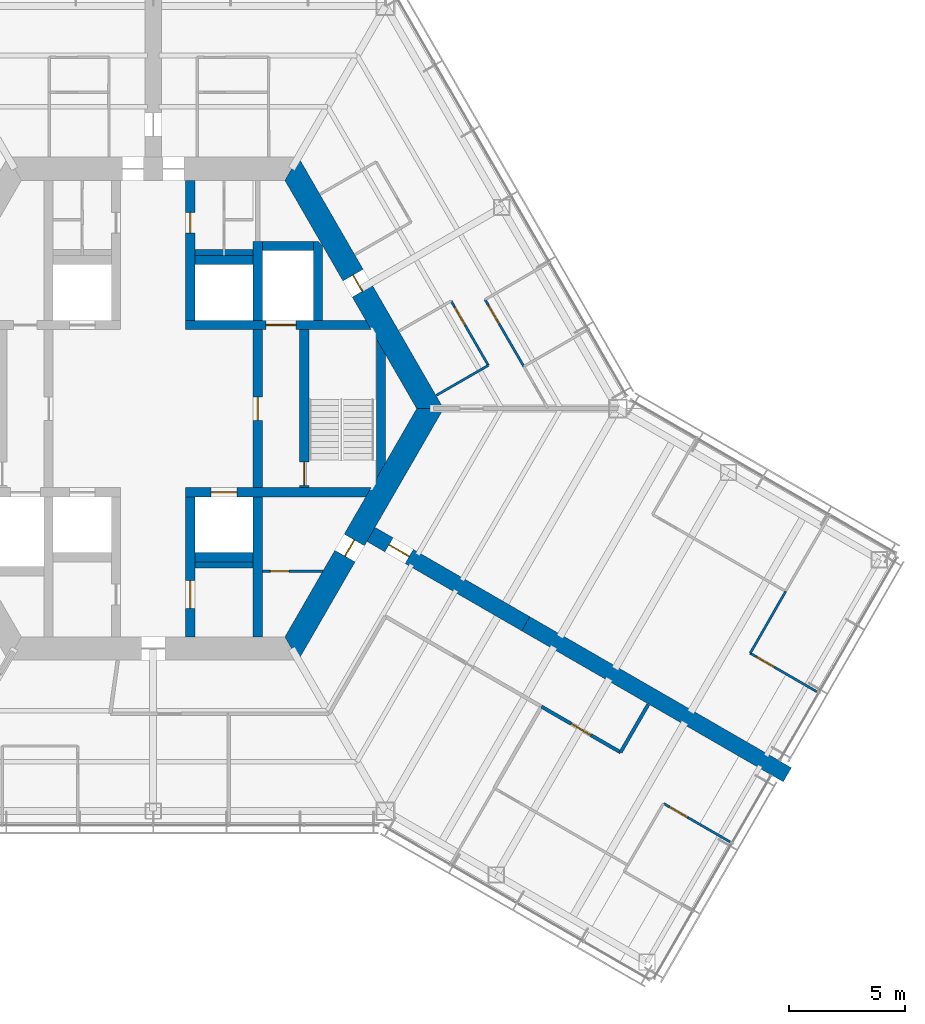
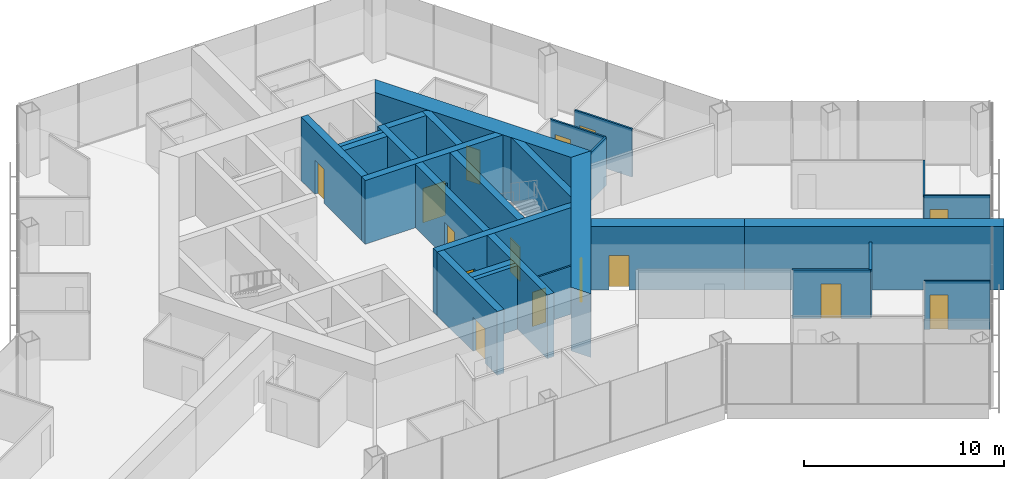
# One storey, part 13 of 18: 28 walls, 15 doors, 15 openings.
"""IFC4 building model written with IfcOpenShell, lengths in metres."""

from ifc_helpers import new_model, si_unit, direction, frame, frame_2d, origin, place, context, subcontext, project, spatial, polyline, rectangle, outline, extrude, material, layer, layer_set, type_object, element, fill, save


model = new_model("IFC4")

# Units and contexts
model_context = context("Model", 3, precision=1e-05, world=origin(), true_north=direction((0.0, 1.0)))
body_context = subcontext(model_context, "Body", "Model", "MODEL_VIEW")
ifc_project = project(units=[si_unit("LENGTHUNIT", "METRE"), si_unit("AREAUNIT", "SQUARE_METRE"), si_unit("VOLUMEUNIT", "CUBIC_METRE"), si_unit("PLANEANGLEUNIT", "RADIAN"), si_unit("MASSUNIT", "GRAM", prefix="KILO")], contexts=[model_context])

# Site, building, storey
site_placement = place(None, origin())
site = spatial("IfcSite", under=ifc_project, at=site_placement, CompositionType="ELEMENT")
building_placement = place(site_placement, origin())
building = spatial("IfcBuilding", under=site, at=building_placement, Name="Kasaneha Research Tower", CompositionType="ELEMENT")
storey_placement = place(building_placement, frame((0.0, 0.0, 168.199951171875)))
storey = spatial("IfcBuildingStorey", under=building, at=storey_placement, Name="L42", CompositionType="ELEMENT", Elevation=168.199951171875)

# Wall, opening, door
ifc_material_1 = material(Name="Concrete Fc70", Category="concrete")
ifc_layer_1 = layer(ifc_material_1, 0.39990234375)
ifc_layer_set_1 = layer_set([ifc_layer_1], Name="Core internal wall 400 Fc70")
wall_type_1 = type_object("IfcWallType", Name="Core internal wall 400 Fc70", PredefinedType="SHEAR", material=ifc_layer_set_1)
wall_1_placement = place(storey_placement, frame((1.39990234375, 3.60009765625, 0.0), z_axis=(0.0, 0.0, 1.0), x_axis=(1.0, 0.0, 0.0)))
wall_1 = element("IfcWall", 1, at=wall_1_placement, inside=storey, type_object=wall_type_1, Name="Core wall W1E L42", PredefinedType="SHEAR", context=body_context, shape_type="SweptSolid", body=[
    extrude(outline(polyline([(0.0, -0.199951171875), (3.449951171875, -0.199951171875), (4.75, -0.199951171875), (7.98193359375, -0.199951171875), (7.7509765625, 0.199951171875), (4.75, 0.199951171875), (3.449951171875, 0.199951171875), (0.0, 0.199951171875), (0.0, -0.199951171875)])), origin(), (0.0, 0.0, 1.0), 3.900146484375),
])
opening_1_placement = place(wall_1_placement, frame((3.449951171875, 0.0, 0.0)))
opening_1 = element("IfcOpeningElement", 2, at=opening_1_placement, cuts=wall_1, Name="Opening LD-FL1-L42", PredefinedType="OPENING", context=body_context, shape_type="SweptSolid", body=[
    extrude(rectangle(XDim=1.300048828125, YDim=2.10009765625, at=frame_2d((0.64990234375, 1.050048828125))), frame((0.0, 0.2099609375, 0.0), z_axis=(0.0, -1.0, 0.0), x_axis=(1.0, 0.0, 0.0)), (0.0, 0.0, 1.0), 0.419921875),
])
ifc_material_2 = material(Name="Steel", Category="steel")
door_type_1 = type_object("IfcDoorType", Name="Lift landing door 1300x2100", OperationType="DOUBLE_DOOR_SLIDING", PredefinedType="DOOR", material=ifc_material_2)
door_1_placement = place(opening_1_placement, origin())
door_1 = element("IfcDoor", 3, at=door_1_placement, inside=storey, type_object=door_type_1, Name="Landing door FL1 LD-FL1-L42", OperationType="DOUBLE_DOOR_SLIDING", OverallHeight=2.10009765625, OverallWidth=1.300048828125, PredefinedType="DOOR", context=body_context, shape_type="SweptSolid", body=[
    extrude(rectangle(XDim=1.300048828125, YDim=2.10009765625, at=frame_2d((0.64990234375, 1.050048828125))), frame((0.0, 0.02490234375, 0.0), z_axis=(0.0, -1.0, 0.0), x_axis=(1.0, 0.0, 0.0)), (0.0, 0.0, 1.0), 0.050048828125),
])
fill(opening_1, door_1)

wall_2_placement = place(storey_placement, frame((1.39990234375, -3.60009765625, 0.0), z_axis=(0.0, 0.0, 1.0), x_axis=(1.0, 0.0, 0.0)))
wall_2 = element("IfcWall", 4, at=wall_2_placement, inside=storey, type_object=wall_type_1, Name="Core wall W2E L42", PredefinedType="SHEAR", context=body_context, shape_type="SweptSolid", body=[
    extrude(outline(polyline([(0.0, -0.199951171875), (1.10009765625, -0.199951171875), (2.2001953125, -0.199951171875), (7.7509765625, -0.199951171875), (7.98193359375, 0.199951171875), (2.2001953125, 0.199951171875), (1.10009765625, 0.199951171875), (0.0, 0.199951171875), (0.0, -0.199951171875)])), origin(), (0.0, 0.0, 1.0), 3.900146484375),
])
opening_2_placement = place(wall_2_placement, frame((1.10009765625, 0.0, 0.0)))
opening_2 = element("IfcOpeningElement", 5, at=opening_2_placement, cuts=wall_2, Name="Opening LD-LM2-L42", PredefinedType="OPENING", context=body_context, shape_type="SweptSolid", body=[
    extrude(rectangle(XDim=1.10009765625, YDim=2.10009765625, at=frame_2d((0.550048828125, 1.050048828125))), frame((0.0, 0.2099609375, 0.0), z_axis=(0.0, -1.0, 0.0), x_axis=(1.0, 0.0, 0.0)), (0.0, 0.0, 1.0), 0.419921875),
])
ifc_material_3 = material(Name="Steel", Category="steel")
door_type_2 = type_object("IfcDoorType", Name="Lift landing door 1100x2100", OperationType="DOUBLE_DOOR_SLIDING", PredefinedType="DOOR", material=ifc_material_3)
door_2_placement = place(opening_2_placement, origin())
door_2 = element("IfcDoor", 6, at=door_2_placement, inside=storey, type_object=door_type_2, Name="Landing door LM2 LD-LM2-L42", OperationType="DOUBLE_DOOR_SLIDING", OverallHeight=2.10009765625, OverallWidth=1.10009765625, PredefinedType="DOOR", context=body_context, shape_type="SweptSolid", body=[
    extrude(rectangle(XDim=1.10009765625, YDim=2.10009765625, at=frame_2d((0.550048828125, 1.050048828125))), frame((0.0, 0.02490234375, 0.0), z_axis=(0.0, -1.0, 0.0), x_axis=(1.0, 0.0, 0.0)), (0.0, 0.0, 1.0), 0.050048828125),
])
fill(opening_2, door_2)

wall_3_placement = place(storey_placement, frame((1.60009765625, 3.800048828125, 0.0), z_axis=(0.0, 0.0, 1.0), x_axis=(0.0, 1.0, 0.0)))
wall_3 = element("IfcWall", 7, at=wall_3_placement, inside=storey, type_object=wall_type_1, Name="Core wall CNE L42", PredefinedType="SHEAR", context=body_context, shape_type="SweptSolid", body=[
    extrude(rectangle(XDim=6.02490234375, YDim=0.39990234375, at=frame_2d((3.012451171875, 0.0))), origin(), (0.0, 0.0, 1.0), 3.900146484375),
])
opening_3_placement = place(wall_3_placement, frame((3.75, 0.0, 0.0)))
opening_3 = element("IfcOpeningElement", 8, at=opening_3_placement, cuts=wall_3, Name="Opening L42-D14", PredefinedType="OPENING", context=body_context, shape_type="SweptSolid", body=[
    extrude(rectangle(XDim=0.89990234375, YDim=2.10009765625, at=frame_2d((0.449951171875, 1.050048828125))), frame((0.0, 0.2099609375, 0.0), z_axis=(0.0, -1.0, 0.0), x_axis=(1.0, 0.0, 0.0)), (0.0, 0.0, 1.0), 0.419921875),
])
ifc_material_4 = material(Name="Steel", Category="steel")
door_type_3 = type_object("IfcDoorType", Name="Toilet door FD20 900x2100", OperationType="NOTDEFINED", PredefinedType="DOOR", material=ifc_material_4)
door_3_placement = place(opening_3_placement, origin())
door_3 = element("IfcDoor", 9, at=door_3_placement, inside=storey, type_object=door_type_3, Name="Women's WC door L42-D14", OperationType="SINGLE_SWING_LEFT", OverallHeight=2.10009765625, OverallWidth=0.89990234375, PredefinedType="DOOR", context=body_context, shape_type="SweptSolid", body=[
    extrude(rectangle(XDim=0.89990234375, YDim=2.10009765625, at=frame_2d((0.449951171875, 1.050048828125))), frame((0.0, 0.02490234375, 0.0), z_axis=(0.0, -1.0, 0.0), x_axis=(1.0, 0.0, 0.0)), (0.0, 0.0, 1.0), 0.050048828125),
])
fill(opening_3, door_3)

wall_4_placement = place(storey_placement, frame((1.60009765625, -3.800048828125, 0.0), z_axis=(0.0, 0.0, 1.0), x_axis=(0.0, -1.0, 0.0)))
wall_4 = element("IfcWall", 10, at=wall_4_placement, inside=storey, type_object=wall_type_1, Name="Core wall CSE L42", PredefinedType="SHEAR", context=body_context, shape_type="SweptSolid", body=[
    extrude(rectangle(XDim=6.02490234375, YDim=0.39990234375, at=frame_2d((3.012451171875, 0.0))), origin(), (0.0, 0.0, 1.0), 3.900146484375),
])
opening_4_placement = place(wall_4_placement, frame((3.60009765625, 0.0, 0.0)))
opening_4 = element("IfcOpeningElement", 11, at=opening_4_placement, cuts=wall_4, Name="Opening L42-D15", PredefinedType="OPENING", context=body_context, shape_type="SweptSolid", body=[
    extrude(rectangle(XDim=1.199951171875, YDim=2.10009765625, at=frame_2d((0.60009765625, 1.050048828125))), frame((0.0, 0.2099609375, 0.0), z_axis=(0.0, -1.0, 0.0), x_axis=(1.0, 0.0, 0.0)), (0.0, 0.0, 1.0), 0.419921875),
])
ifc_material_5 = material(Name="Steel", Category="steel")
door_type_4 = type_object("IfcDoorType", Name="Accessible toilet sliding door FD20 1200x2100", OperationType="SLIDING_TO_LEFT", PredefinedType="DOOR", material=ifc_material_5)
door_4_placement = place(opening_4_placement, origin())
door_4 = element("IfcDoor", 12, at=door_4_placement, inside=storey, type_object=door_type_4, Name="Accessible WC door L42-D15", OperationType="SLIDING_TO_LEFT", OverallHeight=2.10009765625, OverallWidth=1.199951171875, PredefinedType="DOOR", context=body_context, shape_type="SweptSolid", body=[
    extrude(rectangle(XDim=1.199951171875, YDim=2.10009765625, at=frame_2d((0.60009765625, 1.050048828125))), frame((0.0, 0.02490234375, 0.0), z_axis=(0.0, -1.0, 0.0), x_axis=(1.0, 0.0, 0.0)), (0.0, 0.0, 1.0), 0.050048828125),
])
fill(opening_4, door_4)

wall_5_placement = place(storey_placement, frame((4.5, -3.39990234375, 0.0), z_axis=(0.0, 0.0, 1.0), x_axis=(0.0, 1.0, 0.0)))
wall_5 = element("IfcWall", 13, at=wall_5_placement, inside=storey, type_object=wall_type_1, Name="Core wall LBE L42", PredefinedType="SHEAR", context=body_context, shape_type="SweptSolid", body=[
    extrude(rectangle(XDim=6.7998046875, YDim=0.39990234375, at=frame_2d((3.39990234375, 0.0))), origin(), (0.0, 0.0, 1.0), 3.900146484375),
])
opening_5_placement = place(wall_5_placement, frame((2.89990234375, 0.0, 0.0)))
opening_5 = element("IfcOpeningElement", 14, at=opening_5_placement, cuts=wall_5, Name="Opening L42-D08", PredefinedType="OPENING", context=body_context, shape_type="SweptSolid", body=[
    extrude(rectangle(XDim=1.0, YDim=2.10009765625, at=frame_2d((0.5, 1.050048828125))), frame((0.0, 0.2099609375, 0.0), z_axis=(0.0, -1.0, 0.0), x_axis=(1.0, 0.0, 0.0)), (0.0, 0.0, 1.0), 0.419921875),
])
ifc_material_6 = material(Name="Steel", Category="steel")
door_type_5 = type_object("IfcDoorType", Name="Specified fire door FD60 1000x2100", OperationType="NOTDEFINED", PredefinedType="DOOR", material=ifc_material_6)
door_5_placement = place(opening_5_placement, origin())
door_5 = element("IfcDoor", 15, at=door_5_placement, inside=storey, type_object=door_type_5, Name="Lift lobby door east L42-D08", OperationType="SINGLE_SWING_LEFT", OverallHeight=2.10009765625, OverallWidth=1.0, PredefinedType="DOOR", context=body_context, shape_type="SweptSolid", body=[
    extrude(rectangle(XDim=1.0, YDim=2.10009765625, at=frame_2d((0.5, 1.050048828125))), frame((0.0, 0.02490234375, 0.0), z_axis=(0.0, -1.0, 0.0), x_axis=(1.0, 0.0, 0.0)), (0.0, 0.0, 1.0), 0.050048828125),
])
fill(opening_5, door_5)

wall_6_placement = place(storey_placement, frame((6.5, -3.39990234375, 0.0), z_axis=(0.0, 0.0, 1.0), x_axis=(0.0, 1.0, 0.0)))
wall_6 = element("IfcWall", 16, at=wall_6_placement, inside=storey, type_object=wall_type_1, Name="Core wall ANE L42", PredefinedType="SHEAR", context=body_context, shape_type="SweptSolid", body=[
    extrude(rectangle(XDim=6.7998046875, YDim=0.39990234375, at=frame_2d((3.39990234375, 0.0))), origin(), (0.0, 0.0, 1.0), 3.900146484375),
])
opening_6_placement = place(wall_6_placement, frame((0.10009765625, 0.0, 0.0)))
opening_6 = element("IfcOpeningElement", 17, at=opening_6_placement, cuts=wall_6, Name="Opening L42-D10", PredefinedType="OPENING", context=body_context, shape_type="SweptSolid", body=[
    extrude(rectangle(XDim=1.0, YDim=2.10009765625, at=frame_2d((0.5, 1.050048828125))), frame((0.0, 0.2099609375, 0.0), z_axis=(0.0, -1.0, 0.0), x_axis=(1.0, 0.0, 0.0)), (0.0, 0.0, 1.0), 0.419921875),
])
door_6_placement = place(opening_6_placement, origin())
door_6 = element("IfcDoor", 18, at=door_6_placement, inside=storey, type_object=door_type_5, Name="Stair 1 door L42-D10", OperationType="SINGLE_SWING_LEFT", OverallHeight=2.10009765625, OverallWidth=1.0, PredefinedType="DOOR", context=body_context, shape_type="SweptSolid", body=[
    extrude(rectangle(XDim=1.0, YDim=2.10009765625, at=frame_2d((0.5, 1.050048828125))), frame((0.0, 0.02490234375, 0.0), z_axis=(0.0, -1.0, 0.0), x_axis=(1.0, 0.0, 0.0)), (0.0, 0.0, 1.0), 0.050048828125),
])
fill(opening_6, door_6)

# Walls
wall_7_placement = place(storey_placement, frame((4.5, 3.800048828125, 0.0), z_axis=(0.0, 0.0, 1.0), x_axis=(0.0, 1.0, 0.0)))
element("IfcWall", 19, at=wall_7_placement, inside=storey, type_object=wall_type_1, Name="Core wall FNE L42", PredefinedType="SHEAR", context=body_context, shape_type="SweptSolid", body=[
    extrude(rectangle(XDim=3.39990234375, YDim=0.39990234375, at=frame_2d((1.699951171875, 0.0))), origin(), (0.0, 0.0, 1.0), 3.900146484375),
])
wall_8_placement = place(storey_placement, frame((4.5, -3.800048828125, 0.0), z_axis=(0.0, 0.0, 1.0), x_axis=(0.0, -1.0, 0.0)))
element("IfcWall", 20, at=wall_8_placement, inside=storey, type_object=wall_type_1, Name="Core wall SSE L42", PredefinedType="SHEAR", context=body_context, shape_type="SweptSolid", body=[
    extrude(rectangle(XDim=6.02490234375, YDim=0.39990234375, at=frame_2d((3.012451171875, 0.0))), origin(), (0.0, 0.0, 1.0), 3.900146484375),
])
for number, where, z_axis, x_axis, name in (
    (21, (1.800048828125, 6.39990234375, 0.0), (0.0, 0.0, 1.0), (1.0, 0.0, 0.0), "Core wall N3N L42"),
    (22, (1.800048828125, -6.39990234375, 0.0), (0.0, 0.0, 1.0), (1.0, 0.0, 0.0), "Core wall S3S L42"),
):
    element("IfcWall", number, at=place(storey_placement, frame(where, z_axis=z_axis, x_axis=x_axis)), inside=storey, type_object=wall_type_1, Name=name, PredefinedType="SHEAR", context=body_context, shape_type="SweptSolid", body=[
        extrude(rectangle(XDim=2.5, YDim=0.39990234375, at=frame_2d((1.25, 0.0))), origin(), (0.0, 0.0, 1.0), 3.900146484375),
    ])
wall_9_placement = place(storey_placement, frame((4.699951171875, 7.0, 0.0), z_axis=(0.0, 0.0, 1.0), x_axis=(1.0, 0.0, 0.0)))
element("IfcWall", 23, at=wall_9_placement, inside=storey, type_object=wall_type_1, Name="Core wall F1N L42", PredefinedType="SHEAR", context=body_context, shape_type="SweptSolid", body=[
    extrude(rectangle(XDim=2.199951171875, YDim=0.39990234375, at=frame_2d((1.10009765625, 0.0))), origin(), (0.0, 0.0, 1.0), 3.900146484375),
])
wall_10_placement = place(storey_placement, frame((7.10009765625, 3.800048828125, 0.0), z_axis=(0.0, 0.0, 1.0), x_axis=(0.0, 1.0, 0.0)))
element("IfcWall", 24, at=wall_10_placement, inside=storey, type_object=wall_type_1, Name="Core wall F1E L42", PredefinedType="SHEAR", context=body_context, shape_type="SweptSolid", body=[
    extrude(outline(polyline([(0.0, -0.199951171875), (3.205810546875, -0.199951171875), (3.39990234375, 0.0), (3.39990234375, 0.199951171875), (0.0, 0.199951171875), (0.0, -0.199951171875)])), origin(), (0.0, 0.0, 1.0), 3.900146484375),
])
wall_11_placement = place(storey_placement, frame((9.807861328125, -2.662353515625, 0.0), z_axis=(0.0, 0.0, 1.0), x_axis=(0.0, 1.0, 0.0)))
element("IfcWall", 25, at=wall_11_placement, inside=storey, type_object=wall_type_1, Name="Core wall STE L42", PredefinedType="SHEAR", context=body_context, shape_type="SweptSolid", body=[
    extrude(outline(polyline([(0.346435546875, -0.199951171875), (4.978271484375, -0.199951171875), (5.671142578125, 0.199951171875), (-0.346435546875, 0.199951171875), (0.346435546875, -0.199951171875)])), origin(), (0.0, 0.0, 1.0), 3.900146484375),
])

# Wall, opening, door
ifc_material_7 = material(Name="Concrete Fc70", Category="concrete")
ifc_layer_2 = layer(ifc_material_7, 1.0)
ifc_layer_set_2 = layer_set([ifc_layer_2], Name="Core wall 1000 Fc70")
wall_type_2 = type_object("IfcWallType", Name="Core wall 1000 Fc70", PredefinedType="SHEAR", material=ifc_layer_set_2)
wall_12_placement = place(storey_placement, frame((11.92236328125, 0.0, 0.0), z_axis=(0.0, 0.0, 1.0), x_axis=(-0.500004296715, 0.866022923061, 0.0)))
wall_12 = element("IfcWall", 26, at=wall_12_placement, inside=storey, type_object=wall_type_2, Name="Core wall 030 L42", PredefinedType="SHEAR", context=body_context, shape_type="SweptSolid", body=[
    extrude(outline(polyline([(-0.28857421875, -0.5), (5.83544921875, -0.5), (6.635498046875, -0.5), (12.2109375, -0.5), (11.6337890625, 0.5), (6.635498046875, 0.5), (5.83544921875, 0.5), (0.28857421875, 0.5), (-0.28857421875, -0.5)])), origin(), (0.0, 0.0, 1.0), 3.900146484375),
])
opening_7_placement = place(wall_12_placement, frame((5.83544921875, 0.0, 0.0)))
opening_7 = element("IfcOpeningElement", 27, at=opening_7_placement, cuts=wall_12, Name="Opening L42-D04", PredefinedType="OPENING", context=body_context, shape_type="SweptSolid", body=[
    extrude(rectangle(XDim=0.800048828125, YDim=2.10009765625, at=frame_2d((0.39990234375, 1.050048828125))), frame((0.0, 0.510009765625, 0.0), z_axis=(0.0, -1.0, 0.0), x_axis=(1.0, 0.0, 0.0)), (0.0, 0.0, 1.0), 1.02001953125),
])
ifc_material_8 = material(Name="Steel", Category="steel")
door_type_6 = type_object("IfcDoorType", Name="Riser access door FD60 800x2100", OperationType="NOTDEFINED", PredefinedType="DOOR", material=ifc_material_8)
door_7_placement = place(opening_7_placement, origin())
door_7 = element("IfcDoor", 28, at=door_7_placement, inside=storey, type_object=door_type_6, Name="Pipe riser door L42-D04", OperationType="SINGLE_SWING_RIGHT", OverallHeight=2.10009765625, OverallWidth=0.800048828125, PredefinedType="DOOR", context=body_context, shape_type="SweptSolid", body=[
    extrude(rectangle(XDim=0.800048828125, YDim=2.10009765625, at=frame_2d((0.39990234375, 1.050048828125))), frame((0.0, 0.02490234375, 0.0), z_axis=(0.0, -1.0, 0.0), x_axis=(1.0, 0.0, 0.0)), (0.0, 0.0, 1.0), 0.050048828125),
])
fill(opening_7, door_7)

wall_13_placement = place(storey_placement, frame((5.961181640625, -10.324951171875, 0.0), z_axis=(0.0, 0.0, 1.0), x_axis=(0.500004296715, 0.866022923061, 0.0)))
wall_13 = element("IfcWall", 29, at=wall_13_placement, inside=storey, type_object=wall_type_2, Name="Core wall 330 L42", PredefinedType="SHEAR", context=body_context, shape_type="SweptSolid", body=[
    extrude(outline(polyline([(-0.28857421875, -0.5), (4.593994140625, -0.5), (5.39404296875, -0.5), (12.2109375, -0.5), (11.6337890625, 0.5), (5.39404296875, 0.5), (4.593994140625, 0.5), (0.28857421875, 0.5), (-0.28857421875, -0.5)])), origin(), (0.0, 0.0, 1.0), 3.900146484375),
])
opening_8_placement = place(wall_13_placement, frame((4.593994140625, 0.0, 0.0)))
opening_8 = element("IfcOpeningElement", 30, at=opening_8_placement, cuts=wall_13, Name="Opening L42-D05", PredefinedType="OPENING", context=body_context, shape_type="SweptSolid", body=[
    extrude(rectangle(XDim=0.800048828125, YDim=2.10009765625, at=frame_2d((0.39990234375, 1.050048828125))), frame((0.0, 0.510009765625, 0.0), z_axis=(0.0, -1.0, 0.0), x_axis=(1.0, 0.0, 0.0)), (0.0, 0.0, 1.0), 1.02001953125),
])
door_8_placement = place(opening_8_placement, origin())
door_8 = element("IfcDoor", 31, at=door_8_placement, inside=storey, type_object=door_type_6, Name="Pipe riser door L42-D05", OperationType="SINGLE_SWING_LEFT", OverallHeight=2.10009765625, OverallWidth=0.800048828125, PredefinedType="DOOR", context=body_context, shape_type="SweptSolid", body=[
    extrude(rectangle(XDim=0.800048828125, YDim=2.10009765625, at=frame_2d((0.39990234375, 1.050048828125))), frame((0.0, 0.02490234375, 0.0), z_axis=(0.0, -1.0, 0.0), x_axis=(1.0, 0.0, 0.0)), (0.0, 0.0, 1.0), 0.050048828125),
])
fill(opening_8, door_8)

ifc_material_9 = material(Name="Gypsum board on steel studs, one layer each side", Category="steel")
ifc_layer_3 = layer(ifc_material_9, 0.10009765625)
ifc_layer_set_3 = layer_set([ifc_layer_3], Name="Office partition 100")
wall_type_3 = type_object("IfcWallType", Name="Office partition 100", PredefinedType="PARTITIONING", material=ifc_layer_set_3)
wall_14_placement = place(storey_placement, frame((4.699951171875, -7.0, 0.0), z_axis=(0.0, 0.0, 1.0), x_axis=(1.0, 0.0, 0.0)))
wall_14 = element("IfcWall", 32, at=wall_14_placement, inside=storey, type_object=wall_type_3, Name="Office partition RS-SE L42", PredefinedType="PARTITIONING", context=body_context, shape_type="SweptSolid", body=[
    extrude(outline(polyline([(0.0, -0.050048828125), (0.35009765625, -0.050048828125), (1.150146484375, -0.050048828125), (2.57470703125, -0.050048828125), (2.603515625, 0.0), (2.609375, 0.050048828125), (1.150146484375, 0.050048828125), (0.35009765625, 0.050048828125), (0.0, 0.050048828125), (0.0, -0.050048828125)])), origin(), (0.0, 0.0, 1.0), 2.949951171875),
])
opening_9_placement = place(wall_14_placement, frame((0.35009765625, 0.0, 0.0)))
opening_9 = element("IfcOpeningElement", 33, at=opening_9_placement, cuts=wall_14, Name="Opening L42-D24", PredefinedType="OPENING", context=body_context, shape_type="SweptSolid", body=[
    extrude(rectangle(XDim=0.800048828125, YDim=2.10009765625, at=frame_2d((0.39990234375, 1.050048828125))), frame((0.0, 0.06005859375, 0.0), z_axis=(0.0, -1.0, 0.0), x_axis=(1.0, 0.0, 0.0)), (0.0, 0.0, 1.0), 0.1201171875),
])
door_9_placement = place(opening_9_placement, origin())
door_9 = element("IfcDoor", 34, at=door_9_placement, inside=storey, type_object=door_type_6, Name="Drainage riser door L42-D24", OperationType="SINGLE_SWING_LEFT", OverallHeight=2.10009765625, OverallWidth=0.800048828125, PredefinedType="DOOR", context=body_context, shape_type="SweptSolid", body=[
    extrude(rectangle(XDim=0.800048828125, YDim=2.10009765625, at=frame_2d((0.39990234375, 1.050048828125))), frame((0.0, 0.02490234375, 0.0), z_axis=(0.0, -1.0, 0.0), x_axis=(1.0, 0.0, 0.0)), (0.0, 0.0, 1.0), 0.050048828125),
])
fill(opening_9, door_9)

wall_15_placement = place(storey_placement, frame((12.826416015625, 4.634033203125, 0.0), z_axis=(0.0, 0.0, 1.0), x_axis=(0.500028443584, -0.866008981251, 0.0)))
wall_15 = element("IfcWall", 35, at=wall_15_placement, inside=storey, type_object=wall_type_3, Name="Office partition FAE11 L42", PredefinedType="PARTITIONING", context=body_context, shape_type="SweptSolid", body=[
    extrude(rectangle(XDim=3.199951171875, YDim=0.10009765625, at=frame_2d((1.60009765625, 0.0))), origin(), (0.0, 0.0, 1.0), 2.949951171875),
])
opening_10_placement = place(wall_15_placement, frame((0.300048828125, 0.0, 0.0)))
opening_10 = element("IfcOpeningElement", 36, at=opening_10_placement, cuts=wall_15, Name="Opening L42-D30", PredefinedType="OPENING", context=body_context, shape_type="SweptSolid", body=[
    extrude(rectangle(XDim=0.89990234375, YDim=2.10009765625, at=frame_2d((0.449951171875, 1.050048828125))), frame((0.0, 0.06005859375, 0.0), z_axis=(0.0, -1.0, 0.0), x_axis=(1.0, 0.0, 0.0)), (0.0, 0.0, 1.0), 0.1201171875),
])
ifc_material_10 = material(Name="Timber veneer", Category="wood")
door_type_7 = type_object("IfcDoorType", Name="Office door 900x2100", OperationType="SINGLE_SWING_LEFT", PredefinedType="DOOR", material=ifc_material_10)
door_10_placement = place(opening_10_placement, origin())
door_10 = element("IfcDoor", 37, at=door_10_placement, inside=storey, type_object=door_type_7, Name="Mail room door L42-D30", OperationType="SINGLE_SWING_LEFT", OverallHeight=2.10009765625, OverallWidth=0.89990234375, PredefinedType="DOOR", context=body_context, shape_type="SweptSolid", body=[
    extrude(rectangle(XDim=0.89990234375, YDim=2.10009765625, at=frame_2d((0.449951171875, 1.050048828125))), frame((0.0, 0.02490234375, 0.0), z_axis=(0.0, -1.0, 0.0), x_axis=(1.0, 0.0, 0.0)), (0.0, 0.0, 1.0), 0.050048828125),
])
fill(opening_10, door_10)

# Wall
wall_16_placement = place(storey_placement, frame((14.426513671875, 1.86279296875, 0.0), z_axis=(0.0, 0.0, 1.0), x_axis=(-0.866045356598, -0.49996543912, 0.0)))
element("IfcWall", 38, at=wall_16_placement, inside=storey, type_object=wall_type_3, Name="Office partition FAE12 L42", PredefinedType="PARTITIONING", context=body_context, shape_type="SweptSolid", body=[
    extrude(rectangle(XDim=2.580322265625, YDim=0.10009765625, at=frame_2d((1.2900390625, 0.0))), origin(), (0.0, 0.0, 1.0), 2.949951171875),
])

# Wall, opening, door
wall_17_placement = place(storey_placement, frame((15.956298828125, 1.812744140625, 0.0), z_axis=(0.0, 0.0, 1.0), x_axis=(-0.501111387448, 0.865382792393, 0.0)))
wall_17 = element("IfcWall", 39, at=wall_17_placement, inside=storey, type_object=wall_type_3, Name="Office partition FAE15 L42", PredefinedType="PARTITIONING", context=body_context, shape_type="SweptSolid", body=[
    extrude(rectangle(XDim=3.3310546875, YDim=0.10009765625, at=frame_2d((1.66552734375, 0.0))), origin(), (0.0, 0.0, 1.0), 2.949951171875),
])
opening_11_placement = place(wall_17_placement, frame((2.130859375, 0.0, 0.0)))
opening_11 = element("IfcOpeningElement", 40, at=opening_11_placement, cuts=wall_17, Name="Opening L42-D31", PredefinedType="OPENING", context=body_context, shape_type="SweptSolid", body=[
    extrude(rectangle(XDim=0.89990234375, YDim=2.10009765625, at=frame_2d((0.449951171875, 1.050048828125))), frame((0.0, 0.06005859375, 0.0), z_axis=(0.0, -1.0, 0.0), x_axis=(1.0, 0.0, 0.0)), (0.0, 0.0, 1.0), 0.1201171875),
])
door_11_placement = place(opening_11_placement, origin())
door_11 = element("IfcDoor", 41, at=door_11_placement, inside=storey, type_object=door_type_7, Name="Workroom door L42-D31", OperationType="SINGLE_SWING_RIGHT", OverallHeight=2.10009765625, OverallWidth=0.89990234375, PredefinedType="DOOR", context=body_context, shape_type="SweptSolid", body=[
    extrude(rectangle(XDim=0.89990234375, YDim=2.10009765625, at=frame_2d((0.449951171875, 1.050048828125))), frame((0.0, 0.02490234375, 0.0), z_axis=(0.0, -1.0, 0.0), x_axis=(1.0, 0.0, 0.0)), (0.0, 0.0, 1.0), 0.050048828125),
])
fill(opening_11, door_11)

# Wall
wall_18_placement = place(storey_placement, frame((25.7001953125, -10.527099609375, 0.0), z_axis=(0.0, 0.0, 1.0), x_axis=(0.497097650811, 0.867694603855, 0.0)))
element("IfcWall", 42, at=wall_18_placement, inside=storey, type_object=wall_type_3, Name="Office partition FCE04 L42", PredefinedType="PARTITIONING", context=body_context, shape_type="SweptSolid", body=[
    extrude(rectangle(XDim=3.070556640625, YDim=0.10009765625, at=frame_2d((1.53515625, 0.0))), origin(), (0.0, 0.0, 1.0), 2.949951171875),
])

# Wall, opening, door
wall_19_placement = place(storey_placement, frame((28.5625, -12.1796875, 0.0), z_axis=(0.0, 0.0, 1.0), x_axis=(-0.866020751647, 0.500008057651, 0.0)))
wall_19 = element("IfcWall", 43, at=wall_19_placement, inside=storey, type_object=wall_type_3, Name="Office partition FCE05 L42", PredefinedType="PARTITIONING", context=body_context, shape_type="SweptSolid", body=[
    extrude(rectangle(XDim=3.30517578125, YDim=0.10009765625, at=frame_2d((1.652587890625, 0.0))), origin(), (0.0, 0.0, 1.0), 2.949951171875),
])
opening_12_placement = place(wall_19_placement, frame((2.10498046875, 0.0, 0.0)))
opening_12 = element("IfcOpeningElement", 44, at=opening_12_placement, cuts=wall_19, Name="Opening L42-D43", PredefinedType="OPENING", context=body_context, shape_type="SweptSolid", body=[
    extrude(rectangle(XDim=0.89990234375, YDim=2.10009765625, at=frame_2d((0.449951171875, 1.050048828125))), frame((0.0, 0.06005859375, 0.0), z_axis=(0.0, -1.0, 0.0), x_axis=(1.0, 0.0, 0.0)), (0.0, 0.0, 1.0), 0.1201171875),
])
door_12_placement = place(opening_12_placement, origin())
door_12 = element("IfcDoor", 45, at=door_12_placement, inside=storey, type_object=door_type_7, Name="Meeting room door L42-D43", OperationType="SINGLE_SWING_RIGHT", OverallHeight=2.10009765625, OverallWidth=0.89990234375, PredefinedType="DOOR", context=body_context, shape_type="SweptSolid", body=[
    extrude(rectangle(XDim=0.89990234375, YDim=2.10009765625, at=frame_2d((0.449951171875, 1.050048828125))), frame((0.0, 0.02490234375, 0.0), z_axis=(0.0, -1.0, 0.0), x_axis=(1.0, 0.0, 0.0)), (0.0, 0.0, 1.0), 0.050048828125),
])
fill(opening_12, door_12)

wall_20_placement = place(storey_placement, frame((21.966796875, -16.993408203125, 0.0), z_axis=(0.0, 0.0, 1.0), x_axis=(0.866020751647, -0.500008057651, 0.0)))
wall_20 = element("IfcWall", 46, at=wall_20_placement, inside=storey, type_object=wall_type_3, Name="Office partition FCS16 L42", PredefinedType="PARTITIONING", context=body_context, shape_type="SweptSolid", body=[
    extrude(rectangle(XDim=3.30517578125, YDim=0.10009765625, at=frame_2d((1.652587890625, 0.0))), origin(), (0.0, 0.0, 1.0), 2.949951171875),
])
opening_13_placement = place(wall_20_placement, frame((0.300048828125, 0.0, 0.0)))
opening_13 = element("IfcOpeningElement", 47, at=opening_13_placement, cuts=wall_20, Name="Opening L42-D49", PredefinedType="OPENING", context=body_context, shape_type="SweptSolid", body=[
    extrude(rectangle(XDim=0.89990234375, YDim=2.10009765625, at=frame_2d((0.449951171875, 1.050048828125))), frame((0.0, 0.06005859375, 0.0), z_axis=(0.0, -1.0, 0.0), x_axis=(1.0, 0.0, 0.0)), (0.0, 0.0, 1.0), 0.1201171875),
])
door_13_placement = place(opening_13_placement, origin())
door_13 = element("IfcDoor", 48, at=door_13_placement, inside=storey, type_object=door_type_7, Name="Meeting room door L42-D49", OperationType="SINGLE_SWING_LEFT", OverallHeight=2.10009765625, OverallWidth=0.89990234375, PredefinedType="DOOR", context=body_context, shape_type="SweptSolid", body=[
    extrude(rectangle(XDim=0.89990234375, YDim=2.10009765625, at=frame_2d((0.449951171875, 1.050048828125))), frame((0.0, 0.02490234375, 0.0), z_axis=(0.0, -1.0, 0.0), x_axis=(1.0, 0.0, 0.0)), (0.0, 0.0, 1.0), 0.050048828125),
])
fill(opening_13, door_13)

ifc_material_11 = material(Name="Concrete Fc70", Category="concrete")
ifc_layer_4 = layer(ifc_material_11, 0.699951171875)
ifc_layer_set_4 = layer_set([ifc_layer_4], Name="Spine wall 700 Fc70")
wall_type_4 = type_object("IfcWallType", Name="Spine wall 700 Fc70", PredefinedType="SHEAR", material=ifc_layer_set_4)
wall_21_placement = place(storey_placement, frame((9.374755859375, -5.41259765625, 0.0), z_axis=(0.0, 0.0, 1.0), x_axis=(0.866032377459, -0.499987921047, 0.0)))
wall_21 = element("IfcWall", 49, at=wall_21_placement, inside=storey, type_object=wall_type_4, Name="Spine wall C L42", PredefinedType="SHEAR", context=body_context, shape_type="SweptSolid", body=[
    extrude(rectangle(XDim=7.695556640625, YDim=0.699951171875, at=frame_2d((3.84765625, 0.0))), origin(), (0.0, 0.0, 1.0), 3.900146484375),
])
opening_14_placement = place(wall_21_placement, frame((0.89990234375, 0.0, 0.0)))
opening_14 = element("IfcOpeningElement", 50, at=opening_14_placement, cuts=wall_21, Name="Opening L42-D19", PredefinedType="OPENING", context=body_context, shape_type="SweptSolid", body=[
    extrude(rectangle(XDim=1.0, YDim=2.10009765625, at=frame_2d((0.5, 1.050048828125))), frame((0.0, 0.35986328125, 0.0), z_axis=(0.0, -1.0, 0.0), x_axis=(1.0, 0.0, 0.0)), (0.0, 0.0, 1.0), 0.719970703125),
])
door_14_placement = place(opening_14_placement, origin())
door_14 = element("IfcDoor", 51, at=door_14_placement, inside=storey, type_object=door_type_5, Name="Spine doorway C L42-D19", OperationType="SINGLE_SWING_LEFT", OverallHeight=2.10009765625, OverallWidth=1.0, PredefinedType="DOOR", context=body_context, shape_type="SweptSolid", body=[
    extrude(rectangle(XDim=1.0, YDim=2.10009765625, at=frame_2d((0.5, 1.050048828125))), frame((0.0, 0.02490234375, 0.0), z_axis=(0.0, -1.0, 0.0), x_axis=(1.0, 0.0, 0.0)), (0.0, 0.0, 1.0), 0.050048828125),
])
fill(opening_14, door_14)

# Wall
wall_22_placement = place(storey_placement, frame((16.039306640625, -9.26025390625, 0.0), z_axis=(0.0, 0.0, 1.0), x_axis=(0.866024837091, -0.50000098154, 0.0)))
element("IfcWall", 52, at=wall_22_placement, inside=storey, type_object=wall_type_4, Name="Spine wall C wing L42", PredefinedType="SHEAR", context=body_context, shape_type="SweptSolid", body=[
    extrude(rectangle(XDim=13.0, YDim=0.699951171875, at=frame_2d((6.5, 0.0))), origin(), (0.0, 0.0, 1.0), 3.900146484375),
])

# Wall, opening, door
ifc_material_12 = material(Name="Gypsum board on steel studs, two layers each side", Category="steel")
ifc_layer_5 = layer(ifc_material_12, 0.14990234375)
ifc_layer_set_5 = layer_set([ifc_layer_5], Name="Suite partition 150")
wall_type_5 = type_object("IfcWallType", Name="Suite partition 150", PredefinedType="PARTITIONING", material=ifc_layer_set_5)
wall_23_placement = place(storey_placement, frame((20.1201171875, -14.791748046875, 0.0), z_axis=(0.0, 0.0, 1.0), x_axis=(-0.866038848349, 0.499976712608, 0.0)))
wall_23 = element("IfcWall", 53, at=wall_23_placement, inside=storey, type_object=wall_type_5, Name="Suite partition FCS06 L42", PredefinedType="PARTITIONING", context=body_context, shape_type="SweptSolid", body=[
    extrude(rectangle(XDim=3.934326171875, YDim=0.14990234375, at=frame_2d((1.96728515625, 0.0))), origin(), (0.0, 0.0, 1.0), 2.949951171875),
])
opening_15_placement = place(wall_23_placement, frame((1.467041015625, 0.0, 0.0)))
opening_15 = element("IfcOpeningElement", 54, at=opening_15_placement, cuts=wall_23, Name="Opening L42-D46", PredefinedType="OPENING", context=body_context, shape_type="SweptSolid", body=[
    extrude(rectangle(XDim=1.0, YDim=2.10009765625, at=frame_2d((0.5, 1.050048828125))), frame((0.0, 0.0849609375, 0.0), z_axis=(0.0, -1.0, 0.0), x_axis=(1.0, 0.0, 0.0)), (0.0, 0.0, 1.0), 0.169921875),
])
ifc_material_13 = material(Name="Steel", Category="steel")
door_type_8 = type_object("IfcDoorType", Name="Suite entrance door FD60 1000x2100", OperationType="NOTDEFINED", PredefinedType="DOOR", material=ifc_material_13)
door_15_placement = place(opening_15_placement, origin())
door_15 = element("IfcDoor", 55, at=door_15_placement, inside=storey, type_object=door_type_8, Name="Suite entrance door L42-D46", OperationType="SINGLE_SWING_LEFT", OverallHeight=2.10009765625, OverallWidth=1.0, PredefinedType="DOOR", context=body_context, shape_type="SweptSolid", body=[
    extrude(rectangle(XDim=1.0, YDim=2.10009765625, at=frame_2d((0.5, 1.050048828125))), frame((0.0, 0.02490234375, 0.0), z_axis=(0.0, -1.0, 0.0), x_axis=(1.0, 0.0, 0.0)), (0.0, 0.0, 1.0), 0.050048828125),
])
fill(opening_15, door_15)

# Walls
wall_24_placement = place(storey_placement, frame((21.310302734375, -12.730712890625, 0.0), z_axis=(0.0, 0.0, 1.0), x_axis=(-0.500077627542, -0.865980580863, 0.0)))
element("IfcWall", 56, at=wall_24_placement, inside=storey, type_object=wall_type_5, Name="Suite partition FCS07 L42", PredefinedType="PARTITIONING", context=body_context, shape_type="SweptSolid", body=[
    extrude(rectangle(XDim=2.3798828125, YDim=0.14990234375, at=frame_2d((1.18994140625, 0.0))), origin(), (0.0, 0.0, 1.0), 2.949951171875),
])
ifc_material_14 = material(Name="Concrete block lining", Category="concrete")
ifc_layer_6 = layer(ifc_material_14, 0.25)
ifc_layer_set_6 = layer_set([ifc_layer_6], Name="WC plumbing wall 250")
wall_type_6 = type_object("IfcWallType", Name="WC plumbing wall 250", PredefinedType="PLUMBINGWALL", material=ifc_layer_set_6)
for number, where, z_axis, x_axis, name in (
    (57, (1.800048828125, 6.72509765625, 0.0), (0.0, 0.0, 1.0), (1.0, 0.0, 0.0), "WC plumbing wall F L42"),
    (58, (1.800048828125, -6.72509765625, 0.0), (0.0, 0.0, 1.0), (1.0, 0.0, 0.0), "WC plumbing wall A L42"),
):
    element("IfcWall", number, at=place(storey_placement, frame(where, z_axis=z_axis, x_axis=x_axis)), inside=storey, type_object=wall_type_6, Name=name, PredefinedType="PLUMBINGWALL", context=body_context, shape_type="SweptSolid", body=[
        extrude(rectangle(XDim=2.5, YDim=0.25, at=frame_2d((1.25, 0.0))), origin(), (0.0, 0.0, 1.0), 3.900146484375),
    ])

save(model, "model.ifc")
